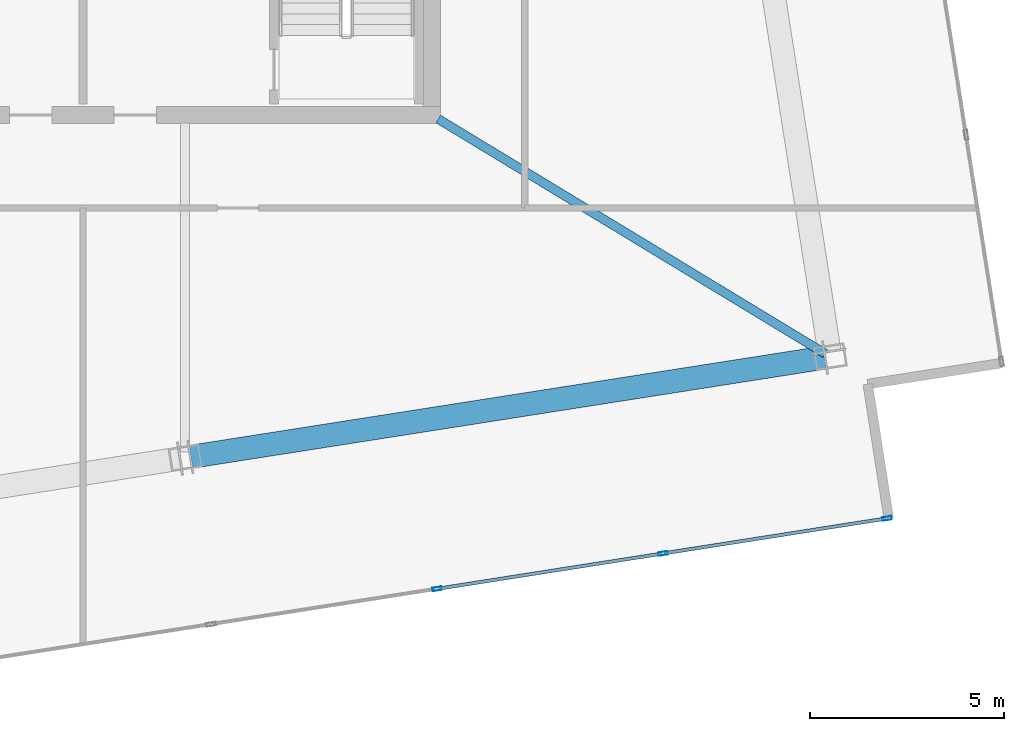
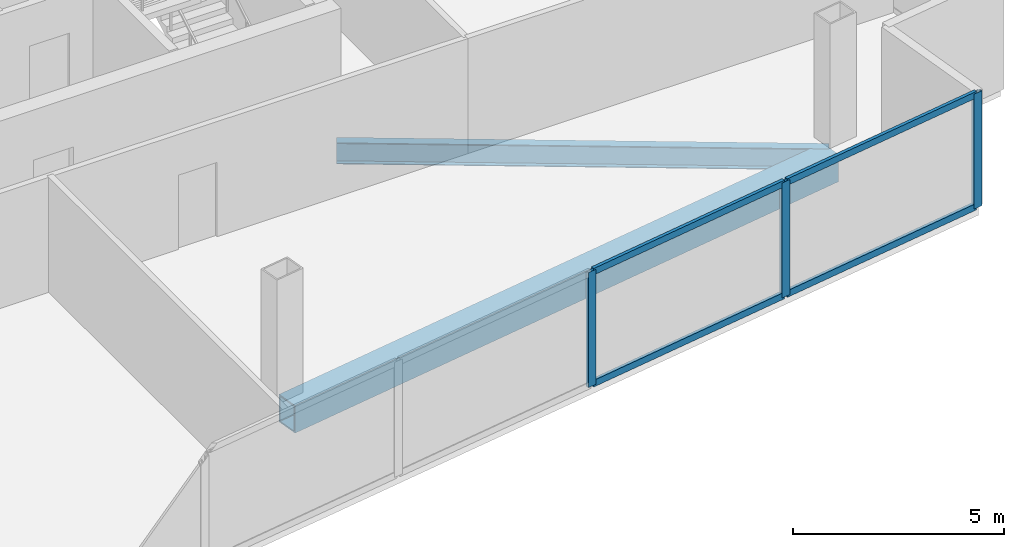
# One storey, part 6 of 17: 7 members, 2 beams, 1 element without a shape of its own.
"""IFC4 building model written with IfcOpenShell, lengths in metres."""

from ifc_helpers import new_model, si_unit, direction, frame, origin, origin_2d, place, context, subcontext, project, spatial, hollow_rectangle, i_section, extrude, material, material_profile, profile_set, type_object, element, aggregate, save


model = new_model("IFC4")

# Units and contexts
model_context = context("Model", 3, precision=1e-05, world=origin(), true_north=direction((0.0, 1.0)))
body_context = subcontext(model_context, "Body", "Model", "MODEL_VIEW")
ifc_project = project(units=[si_unit("LENGTHUNIT", "METRE"), si_unit("AREAUNIT", "SQUARE_METRE"), si_unit("VOLUMEUNIT", "CUBIC_METRE"), si_unit("PLANEANGLEUNIT", "RADIAN"), si_unit("MASSUNIT", "GRAM", prefix="KILO")], contexts=[model_context])

# Site, building, storey
site_placement = place(None, origin())
site = spatial("IfcSite", under=ifc_project, at=site_placement, CompositionType="ELEMENT")
building_placement = place(site_placement, origin())
building = spatial("IfcBuilding", under=site, at=building_placement, Name="Haldenkirk Collegiate Tower", CompositionType="ELEMENT")
storey_placement = place(building_placement, frame((0.0, 0.0, 364.199951171875)))
storey = spatial("IfcBuildingStorey", under=building, at=storey_placement, Name="L92", CompositionType="ELEMENT", Elevation=364.199951171875)

# Beams
ifc_material_1 = material(Name="Steel ASTM A992 Grade 50", Category="steel")
ifc_material_profile_1 = material_profile(ifc_material_1, i_section(OverallWidth=0.22998046875, OverallDepth=0.616943359375, WebThickness=0.01318359375, FlangeThickness=0.022216796875, at=origin_2d()), Name="W24X94")
ifc_profile_set_1 = profile_set([ifc_material_profile_1], Name="Steel ASTM A992 Grade 50")
beam_type_1 = type_object("IfcBeamType", Name="BM-GIRDER-W24X94", PredefinedType="BEAM", material=ifc_profile_set_1)
beam_1_placement = place(storey_placement, frame((55.156494140625, 11.840087890625, -0.578369140625), z_axis=(-0.855035491558, 0.518569482496, 0.0), x_axis=(-0.518569482496, -0.855035491558, 0.0)))
element("IfcBeam", 1, at=beam_1_placement, inside=storey, type_object=beam_type_1, Name="L92 crown radial floor beam 1", PredefinedType="BEAM", context=body_context, shape_type="SweptSolid", body=[
    extrude(i_section(OverallWidth=0.22998046875, OverallDepth=0.616943359375, WebThickness=0.01318359375, FlangeThickness=0.022216796875, at=origin_2d()), origin(), (0.0, 0.0, 1.0), 11.678466796875),
])
ifc_material_2 = material(Name="Steel ASTM A572 Grade 50", Category="steel")
ifc_material_profile_2 = material_profile(ifc_material_2, hollow_rectangle(XDim=0.60009765625, YDim=0.800048828125, WallThickness=0.0400390625, at=origin_2d()), Name="BOX800X600X40")
ifc_profile_set_2 = profile_set([ifc_material_profile_2], Name="Steel ASTM A572 Grade 50")
beam_type_2 = type_object("IfcBeamType", Name="BM-SPANDREL-BOX800X600X40", PredefinedType="SPANDREL", material=ifc_profile_set_2)
beam_2_placement = place(storey_placement, frame((38.785888671875, 9.178466796875, -0.669921875), z_axis=(0.987959171117, 0.154714822192, 0.0), x_axis=(-0.154714822192, 0.987959171117, 0.0)))
element("IfcBeam", 2, at=beam_2_placement, inside=storey, type_object=beam_type_2, Name="L92 Crown Ring Frame perimeter girder 8", PredefinedType="SPANDREL", context=body_context, shape_type="SweptSolid", body=[
    extrude(hollow_rectangle(XDim=0.60009765625, YDim=0.800048828125, WallThickness=0.0400390625, at=origin_2d()), origin(), (0.0, 0.0, 1.0), 16.550048828125),
])

# Curtain wall, members
ifc_material_3 = material(Name="Anodised architectural bronze aluminium", Category="aluminium")
curtain_wall_type = type_object("IfcCurtainWallType", Name="CW-SYS6-CROWN", PredefinedType="USERDEFINED", material=ifc_material_3)
curtain_wall_placement = place(storey_placement, origin())
curtain_wall = element("IfcCurtainWall", 3, at=curtain_wall_placement, inside=storey, type_object=curtain_wall_type, Name="L92 Closed crown ring ceramic-fritted bronze screen curtain wall", ObjectType="UNITISED CURTAIN WALL", PredefinedType="USERDEFINED")
ifc_material_profile_3 = material_profile(ifc_material_3, hollow_rectangle(XDim=0.090087890625, YDim=0.239990234375, WallThickness=0.0048828125, at=origin_2d()), Name="CW-MUL-06")
ifc_profile_set_3 = profile_set([ifc_material_profile_3], Name="Anodised architectural bronze aluminium")
member_type_1 = type_object("IfcMemberType", Name="CW-MUL-06", PredefinedType="MULLION", material=ifc_profile_set_3)
member_1_placement = place(storey_placement, frame((56.753173828125, 7.589111328125, 0.0), z_axis=(0.0, 0.0, 1.0), x_axis=(0.154708982189, -0.987960085646, 0.0)))
member_1 = element("IfcMember", 4, at=member_1_placement, type_object=member_type_1, Name="CW-06 mullion 1", PredefinedType="MULLION", context=body_context, shape_type="SweptSolid", body=[
    extrude(hollow_rectangle(XDim=0.090087890625, YDim=0.239990234375, WallThickness=0.0048828125, at=origin_2d()), origin(), (0.0, 0.0, 1.0), 3.330078125),
])
member_2_placement = place(storey_placement, frame((50.96875, 6.68310546875, 0.0), z_axis=(0.0, 0.0, 1.0), x_axis=(0.154708982189, -0.987960085646, 0.0)))
member_2 = element("IfcMember", 5, at=member_2_placement, type_object=member_type_1, Name="CW-06 mullion 2", PredefinedType="MULLION", context=body_context, shape_type="SweptSolid", body=[
    extrude(hollow_rectangle(XDim=0.090087890625, YDim=0.239990234375, WallThickness=0.0048828125, at=origin_2d()), origin(), (0.0, 0.0, 1.0), 3.330078125),
])
member_3_placement = place(storey_placement, frame((45.1396484375, 5.7705078125, 0.0), z_axis=(0.0, 0.0, 1.0), x_axis=(0.154708982189, -0.987960085646, 0.0)))
member_3 = element("IfcMember", 6, at=member_3_placement, type_object=member_type_1, Name="CW-06 mullion 3", PredefinedType="MULLION", context=body_context, shape_type="SweptSolid", body=[
    extrude(hollow_rectangle(XDim=0.090087890625, YDim=0.239990234375, WallThickness=0.0048828125, at=origin_2d()), origin(), (0.0, 0.0, 1.0), 3.330078125),
])
ifc_material_profile_4 = material_profile(ifc_material_3, hollow_rectangle(XDim=0.090087890625, YDim=0.18994140625, WallThickness=0.0048828125, at=origin_2d()), Name="CW-TRN-06")
ifc_profile_set_4 = profile_set([ifc_material_profile_4], Name="Anodised architectural bronze aluminium")
member_type_2 = type_object("IfcMemberType", Name="CW-TRN-06", PredefinedType="USERDEFINED", material=ifc_profile_set_4)
member_4_placement = place(storey_placement, frame((56.708740234375, 7.58203125, 0.045166015625), z_axis=(-0.987961315074, -0.154701130951, 0.0), x_axis=(0.154701130951, -0.987961315074, 0.0)))
member_4 = element("IfcMember", 7, at=member_4_placement, type_object=member_type_2, Name="CW-06 transom 1.1", ObjectType="TRANSOM", PredefinedType="USERDEFINED", context=body_context, shape_type="SweptSolid", body=[
    extrude(hollow_rectangle(XDim=0.090087890625, YDim=0.18994140625, WallThickness=0.0048828125, at=origin_2d()), origin(), (0.0, 0.0, 1.0), 5.764892578125),
])
member_5_placement = place(storey_placement, frame((56.708740234375, 7.58203125, 3.28515625), z_axis=(-0.987961315074, -0.154701130951, 0.0), x_axis=(0.154701130951, -0.987961315074, 0.0)))
member_5 = element("IfcMember", 8, at=member_5_placement, type_object=member_type_2, Name="CW-06 transom 1.2", ObjectType="TRANSOM", PredefinedType="USERDEFINED", context=body_context, shape_type="SweptSolid", body=[
    extrude(hollow_rectangle(XDim=0.090087890625, YDim=0.18994140625, WallThickness=0.0048828125, at=origin_2d()), origin(), (0.0, 0.0, 1.0), 5.764892578125),
])
member_6_placement = place(storey_placement, frame((50.92431640625, 6.67626953125, 0.045166015625), z_axis=(-0.987958095237, -0.154721692257, 0.0), x_axis=(0.154721692257, -0.987958095237, 0.0)))
member_6 = element("IfcMember", 9, at=member_6_placement, type_object=member_type_2, Name="CW-06 transom 2.1", ObjectType="TRANSOM", PredefinedType="USERDEFINED", context=body_context, shape_type="SweptSolid", body=[
    extrude(hollow_rectangle(XDim=0.090087890625, YDim=0.18994140625, WallThickness=0.0048828125, at=origin_2d()), origin(), (0.0, 0.0, 1.0), 5.81005859375),
])
member_7_placement = place(storey_placement, frame((50.92431640625, 6.67626953125, 3.28515625), z_axis=(-0.987958095237, -0.154721692257, 0.0), x_axis=(0.154721692257, -0.987958095237, 0.0)))
member_7 = element("IfcMember", 10, at=member_7_placement, type_object=member_type_2, Name="CW-06 transom 2.2", ObjectType="TRANSOM", PredefinedType="USERDEFINED", context=body_context, shape_type="SweptSolid", body=[
    extrude(hollow_rectangle(XDim=0.090087890625, YDim=0.18994140625, WallThickness=0.0048828125, at=origin_2d()), origin(), (0.0, 0.0, 1.0), 5.81005859375),
])
aggregate(curtain_wall, [member_1, member_2, member_3, member_4, member_5, member_6, member_7])

save(model, "model.ifc")
